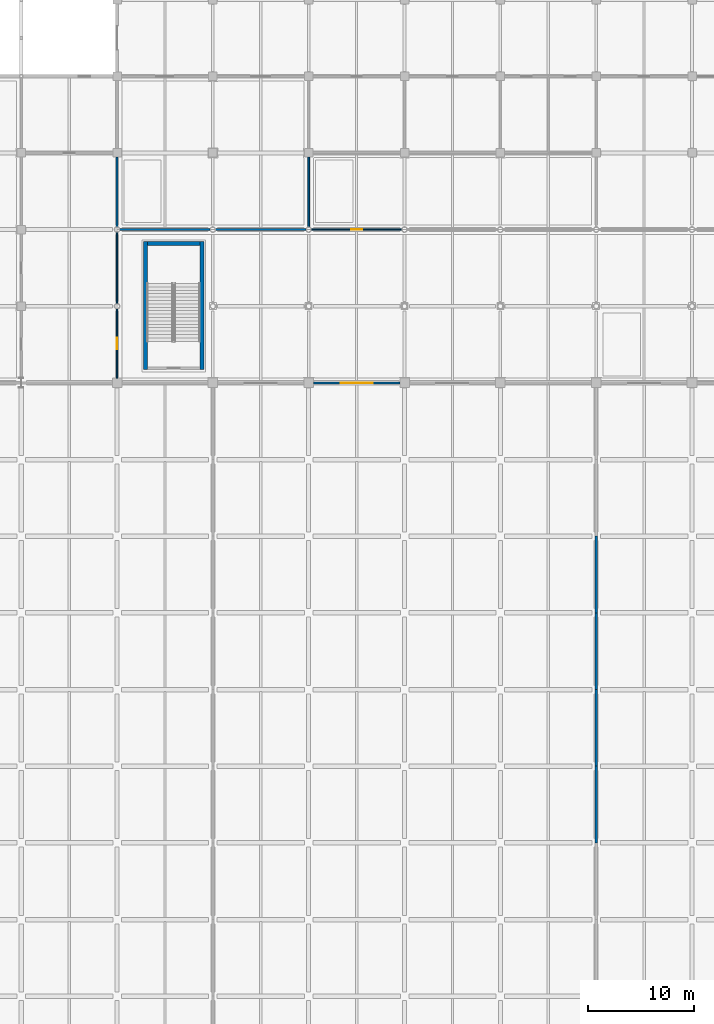
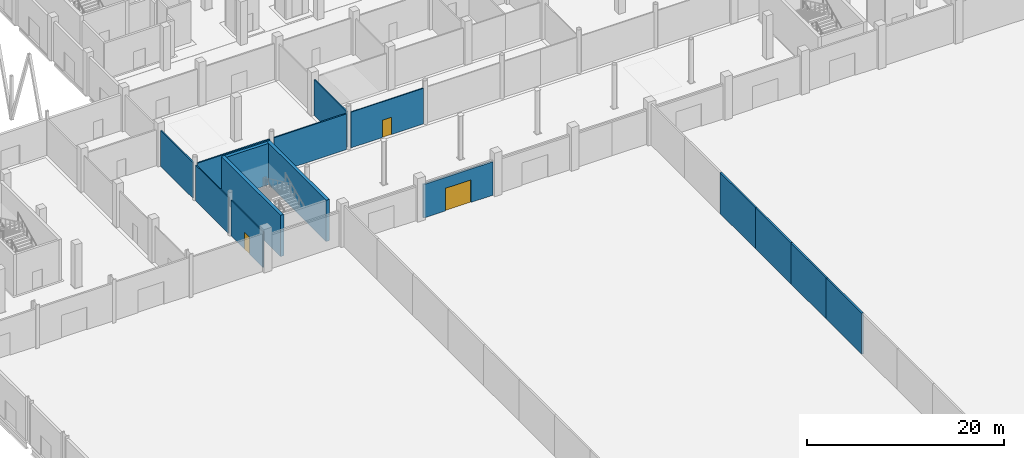
# One storey, part 89 of 137: 15 walls, 3 doors, 3 openings.
"""IFC4 building model written with IfcOpenShell, lengths in metres."""

from ifc_helpers import new_model, si_unit, direction, frame, frame_2d, origin, place, context, subcontext, project, spatial, rectangle, extrude, material, layer, layer_set, type_object, element, fill, save


model = new_model("IFC4")

# Units and contexts
model_context = context("Model", 3, precision=1e-05, world=origin(), true_north=direction((0.0, 1.0)))
body_context = subcontext(model_context, "Body", "Model", "MODEL_VIEW")
ifc_project = project(units=[si_unit("LENGTHUNIT", "METRE"), si_unit("AREAUNIT", "SQUARE_METRE"), si_unit("VOLUMEUNIT", "CUBIC_METRE"), si_unit("PLANEANGLEUNIT", "RADIAN"), si_unit("MASSUNIT", "GRAM", prefix="KILO")], contexts=[model_context])

# Site, building, storey
site_placement = place(None, origin())
site = spatial("IfcSite", under=ifc_project, at=site_placement, CompositionType="ELEMENT")
building_placement = place(site_placement, origin())
building = spatial("IfcBuilding", under=site, at=building_placement, Name="Celestram Park Convention Centre", CompositionType="ELEMENT")
storey_placement = place(building_placement, origin())
storey = spatial("IfcBuildingStorey", under=building, at=storey_placement, Name="L00", CompositionType="ELEMENT", Elevation=0.0)

# Wall, opening, door
ifc_material_1 = material(Name="Double-Stud Acoustic Gypsum Assembly", Category="gypsum")
ifc_layer_1 = layer(ifc_material_1, 0.199951171875)
ifc_layer_set_1 = layer_set([ifc_layer_1], Name="Double-Stud Acoustic Gypsum Assembly")
wall_type_1 = type_object("IfcWallType", Name="ARC-WL-ACO200", PredefinedType="PARTITIONING", material=ifc_layer_set_1)
wall_1_placement = place(storey_placement, frame((54.447998046875, 108.0, 0.0), z_axis=(0.0, 0.0, 1.0), x_axis=(1.0, 0.0, 0.0)))
wall_1 = element("IfcWall", 1, at=wall_1_placement, inside=storey, type_object=wall_type_1, Name="Interior partition WL-L00-IN0561", PredefinedType="PARTITIONING", context=body_context, shape_type="SweptSolid", body=[
    extrude(rectangle(XDim=8.10400390625, YDim=0.199951171875, at=frame_2d((4.052001953125, 0.0))), origin(), (0.0, 0.0, 1.0), 4.14990234375),
])
opening_1_placement = place(wall_1_placement, frame((2.552001953125, 0.0, 0.0)))
opening_1 = element("IfcOpeningElement", 2, at=opening_1_placement, cuts=wall_1, Name="Opening D-03", PredefinedType="OPENING", context=body_context, shape_type="SweptSolid", body=[
    extrude(rectangle(XDim=3.0, YDim=2.800048828125, at=frame_2d((1.5, 1.39990234375))), frame((0.0, 0.10986328125, 0.0), z_axis=(0.0, -1.0, 0.0), x_axis=(1.0, 0.0, 0.0)), (0.0, 0.0, 1.0), 0.219970703125),
])
ifc_material_2 = material(Name="High-Bay Exposition Hall Double Portal", Category="steel")
door_type_1 = type_object("IfcDoorType", Name="ARC-DR-EXH300", OperationType="NOTDEFINED", PredefinedType="DOOR", material=ifc_material_2)
door_1_placement = place(opening_1_placement, origin())
door_1 = element("IfcDoor", 3, at=door_1_placement, inside=storey, type_object=door_type_1, Name="Exhibition Hall B entrance door", OperationType="DOUBLE_DOOR_SINGLE_SWING", OverallHeight=2.800048828125, OverallWidth=3.0, PredefinedType="DOOR", context=body_context, shape_type="SweptSolid", body=[
    extrude(rectangle(XDim=3.0, YDim=2.800048828125, at=frame_2d((1.5, 1.39990234375))), frame((0.0, 0.02490234375, 0.0), z_axis=(0.0, -1.0, 0.0), x_axis=(1.0, 0.0, 0.0)), (0.0, 0.0, 1.0), 0.050048828125),
])
fill(opening_1, door_1)

# Walls
for number, where, z_axis, x_axis, name in (
    (4, (81.0, 64.800048828125, 0.0), (0.0, 0.0, 1.0), (0.0, 1.0, 0.0), "Interior partition WL-L00-IN0637"),
    (5, (81.0, 72.0, 0.0), (0.0, 0.0, 1.0), (0.0, 1.0, 0.0), "Interior partition WL-L00-IN0638"),
    (6, (81.0, 79.199951171875, 0.0), (0.0, 0.0, 1.0), (0.0, 1.0, 0.0), "Interior partition WL-L00-IN0639"),
):
    element("IfcWall", number, at=place(storey_placement, frame(where, z_axis=z_axis, x_axis=x_axis)), inside=storey, type_object=wall_type_1, Name=name, PredefinedType="PARTITIONING", context=body_context, shape_type="SweptSolid", body=[
        extrude(rectangle(XDim=7.199951171875, YDim=0.199951171875, at=frame_2d((3.60009765625, 0.0))), origin(), (0.0, 0.0, 1.0), 5.080078125),
    ])
wall_2_placement = place(storey_placement, frame((81.0, 86.39990234375, 0.0), z_axis=(0.0, 0.0, 1.0), x_axis=(0.0, 1.0, 0.0)))
element("IfcWall", 7, at=wall_2_placement, inside=storey, type_object=wall_type_1, Name="Interior partition WL-L00-IN0640", PredefinedType="PARTITIONING", context=body_context, shape_type="SweptSolid", body=[
    extrude(rectangle(XDim=7.2001953125, YDim=0.199951171875, at=frame_2d((3.60009765625, 0.0))), origin(), (0.0, 0.0, 1.0), 5.080078125),
])

# Wall, opening, door
ifc_material_3 = material(Name="Standard Gypsum & Steel Stud 120 mm", Category="steel")
ifc_layer_2 = layer(ifc_material_3, 0.1201171875)
ifc_layer_set_2 = layer_set([ifc_layer_2], Name="Standard Gypsum & Steel Stud 120 mm")
wall_type_2 = type_object("IfcWallType", Name="ARC-WL-PRT120", PredefinedType="PARTITIONING", material=ifc_layer_set_2)
wall_3_placement = place(storey_placement, frame((54.25, 122.39990234375, 0.0), z_axis=(0.0, 0.0, 1.0), x_axis=(1.0, 0.0, 0.0)))
wall_3 = element("IfcWall", 8, at=wall_3_placement, inside=storey, type_object=wall_type_2, Name="Interior partition WL-L00-IN0572", PredefinedType="PARTITIONING", context=body_context, shape_type="SweptSolid", body=[
    extrude(rectangle(XDim=8.5, YDim=0.1201171875, at=frame_2d((4.25, 0.0))), origin(), (0.0, 0.0, 1.0), 4.424072265625),
])
opening_2_placement = place(wall_3_placement, frame((3.72509765625, 0.0, 0.0)))
opening_2 = element("IfcOpeningElement", 9, at=opening_2_placement, cuts=wall_3, Name="Opening D-06", PredefinedType="OPENING", context=body_context, shape_type="SweptSolid", body=[
    extrude(rectangle(XDim=1.050048828125, YDim=2.14990234375, at=frame_2d((0.52490234375, 1.074951171875))), frame((0.0, 0.070068359375, 0.0), z_axis=(0.0, -1.0, 0.0), x_axis=(1.0, 0.0, 0.0)), (0.0, 0.0, 1.0), 0.14013671875),
])
ifc_material_4 = material(Name="Solid Core White Oak Single Door", Category="wood")
door_type_2 = type_object("IfcDoorType", Name="ARC-DR-RM105", OperationType="NOTDEFINED", PredefinedType="DOOR", material=ifc_material_4)
door_2_placement = place(opening_2_placement, origin())
door_2 = element("IfcDoor", 10, at=door_2_placement, inside=storey, type_object=door_type_2, Name="Concourse Delegate Lounge L00 entrance door", OperationType="SINGLE_SWING_RIGHT", OverallHeight=2.14990234375, OverallWidth=1.050048828125, PredefinedType="DOOR", context=body_context, shape_type="SweptSolid", body=[
    extrude(rectangle(XDim=1.050048828125, YDim=2.14990234375, at=frame_2d((0.52490234375, 1.074951171875))), frame((0.0, 0.02490234375, 0.0), z_axis=(0.0, -1.0, 0.0), x_axis=(1.0, 0.0, 0.0)), (0.0, 0.0, 1.0), 0.050048828125),
])
fill(opening_2, door_2)

wall_4_placement = place(storey_placement, frame((36.0, 108.447998046875, 0.0), z_axis=(0.0, 0.0, 1.0), x_axis=(0.0, 1.0, 0.0)))
wall_4 = element("IfcWall", 11, at=wall_4_placement, inside=storey, type_object=wall_type_2, Name="Interior partition WL-L00-IN0610", PredefinedType="PARTITIONING", context=body_context, shape_type="SweptSolid", body=[
    extrude(rectangle(XDim=6.501953125, YDim=0.1201171875, at=frame_2d((3.2509765625, 0.0))), origin(), (0.0, 0.0, 1.0), 4.424072265625),
])
opening_3_placement = place(wall_4_placement, frame((2.72607421875, 0.0, 0.0)))
opening_3 = element("IfcOpeningElement", 12, at=opening_3_placement, cuts=wall_4, Name="Opening D-06", PredefinedType="OPENING", context=body_context, shape_type="SweptSolid", body=[
    extrude(rectangle(XDim=1.050048828125, YDim=2.14990234375, at=frame_2d((0.52490234375, 1.074951171875))), frame((0.0, 0.070068359375, 0.0), z_axis=(0.0, -1.0, 0.0), x_axis=(1.0, 0.0, 0.0)), (0.0, 0.0, 1.0), 0.14013671875),
])
door_3_placement = place(opening_3_placement, origin())
door_3 = element("IfcDoor", 13, at=door_3_placement, inside=storey, type_object=door_type_2, Name="Visitor Concierge & Cloakroom entrance door", OperationType="SINGLE_SWING_RIGHT", OverallHeight=2.14990234375, OverallWidth=1.050048828125, PredefinedType="DOOR", context=body_context, shape_type="SweptSolid", body=[
    extrude(rectangle(XDim=1.050048828125, YDim=2.14990234375, at=frame_2d((0.52490234375, 1.074951171875))), frame((0.0, 0.02490234375, 0.0), z_axis=(0.0, -1.0, 0.0), x_axis=(1.0, 0.0, 0.0)), (0.0, 0.0, 1.0), 0.050048828125),
])
fill(opening_3, door_3)

# Walls
wall_5_placement = place(storey_placement, frame((36.0, 115.449951171875, 0.0), z_axis=(0.0, 0.0, 1.0), x_axis=(0.0, 1.0, 0.0)))
element("IfcWall", 14, at=wall_5_placement, inside=storey, type_object=wall_type_2, Name="Interior partition WL-L00-IN0611", PredefinedType="PARTITIONING", context=body_context, shape_type="SweptSolid", body=[
    extrude(rectangle(XDim=6.699951171875, YDim=0.1201171875, at=frame_2d((3.35009765625, 0.0))), origin(), (0.0, 0.0, 1.0), 4.424072265625),
])
ifc_material_5 = material(Name="Acoustic Gypsum & Steel Stud 160 mm", Category="steel")
ifc_layer_3 = layer(ifc_material_5, 0.159912109375)
ifc_layer_set_3 = layer_set([ifc_layer_3], Name="Acoustic Gypsum & Steel Stud 160 mm")
wall_type_3 = type_object("IfcWallType", Name="ARC-WL-PRT160", PredefinedType="PARTITIONING", material=ifc_layer_set_3)
for number, where, z_axis, x_axis, name in (
    (15, (36.25, 122.39990234375, 0.0), (0.0, 0.0, 1.0), (1.0, 0.0, 0.0), "Interior partition WL-L00-IN0570"),
    (16, (45.25, 122.39990234375, 0.0), (0.0, 0.0, 1.0), (1.0, 0.0, 0.0), "Interior partition WL-L00-IN0571"),
):
    element("IfcWall", number, at=place(storey_placement, frame(where, z_axis=z_axis, x_axis=x_axis)), inside=storey, type_object=wall_type_3, Name=name, PredefinedType="PARTITIONING", context=body_context, shape_type="SweptSolid", body=[
        extrude(rectangle(XDim=8.5, YDim=0.159912109375, at=frame_2d((4.25, 0.0))), origin(), (0.0, 0.0, 1.0), 4.424072265625),
    ])
for number, where, z_axis, x_axis, name in (
    (17, (36.0, 122.64990234375, 0.0), (0.0, 0.0, 1.0), (0.0, 1.0, 0.0), "Interior partition WL-L00-IN0612"),
    (18, (54.0, 122.64990234375, 0.0), (0.0, 0.0, 1.0), (0.0, 1.0, 0.0), "Interior partition WL-L00-IN0626"),
):
    element("IfcWall", number, at=place(storey_placement, frame(where, z_axis=z_axis, x_axis=x_axis)), inside=storey, type_object=wall_type_3, Name=name, PredefinedType="PARTITIONING", context=body_context, shape_type="SweptSolid", body=[
        extrude(rectangle(XDim=6.552001953125, YDim=0.159912109375, at=frame_2d((3.27587890625, 0.0))), origin(), (0.0, 0.0, 1.0), 4.424072265625),
    ])
ifc_material_6 = material(Name="Concrete C40/50", Category="concrete")
ifc_layer_4 = layer(ifc_material_6, 0.3798828125)
ifc_layer_set_4 = layer_set([ifc_layer_4], Name="Concrete C40/50")
wall_type_4 = type_object("IfcWallType", Name="STR-WL-SHR380", PredefinedType="SHEAR", material=ifc_layer_set_4)
for number, where, z_axis, x_axis, name in (
    (19, (38.64990234375, 109.25, 0.0), (0.0, 0.0, 1.0), (0.0, 1.0, 0.0), "Core S13 shear wall L"),
    (20, (43.989990234375, 121.280029296875, 0.0), (0.0, 0.0, 1.0), (0.0, -1.0, 0.0), "Core S13 shear wall R"),
):
    element("IfcWall", number, at=place(storey_placement, frame(where, z_axis=z_axis, x_axis=x_axis)), inside=storey, type_object=wall_type_4, Name=name, PredefinedType="SHEAR", context=body_context, shape_type="SweptSolid", body=[
        extrude(rectangle(XDim=12.030029296875, YDim=0.3798828125, at=frame_2d((6.01513671875, 0.0))), origin(), (0.0, 0.0, 1.0), 5.1201171875),
    ])
wall_6_placement = place(storey_placement, frame((38.840087890625, 121.090087890625, 0.0), z_axis=(0.0, 0.0, 1.0), x_axis=(1.0, 0.0, 0.0)))
element("IfcWall", 21, at=wall_6_placement, inside=storey, type_object=wall_type_4, Name="Core S13 shear wall F", PredefinedType="SHEAR", context=body_context, shape_type="SweptSolid", body=[
    extrude(rectangle(XDim=4.9599609375, YDim=0.3798828125, at=frame_2d((2.47998046875, 0.0))), origin(), (0.0, 0.0, 1.0), 5.1201171875),
])

save(model, "model.ifc")
